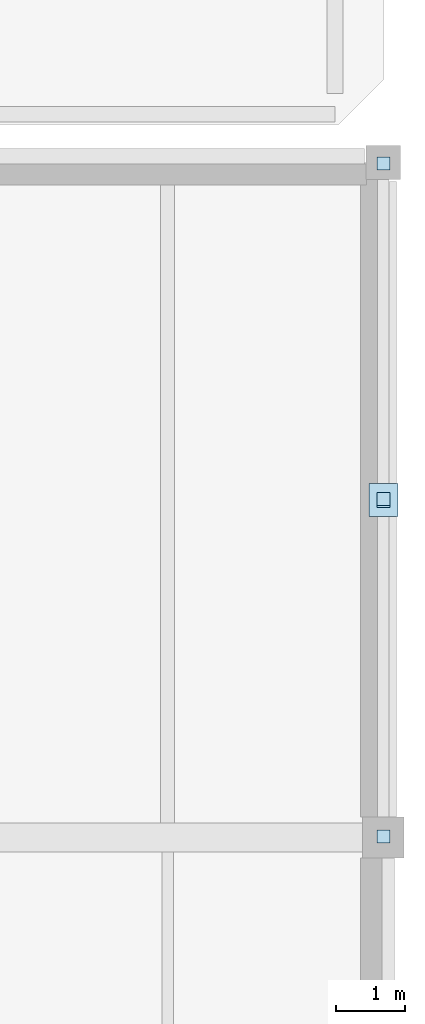
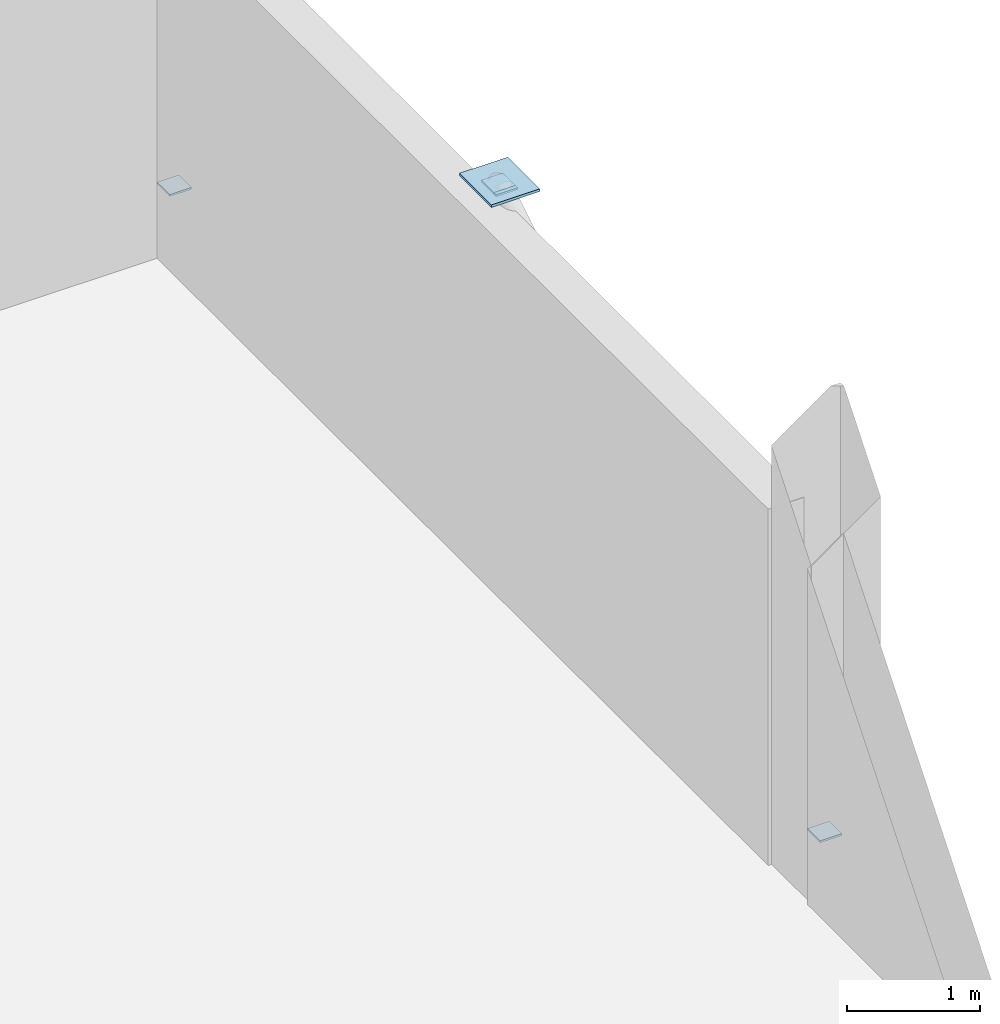
# One storey, part 22 of 41: 5 plates.
"""IFC4 building model written with IfcOpenShell, lengths in metres."""

from ifc_helpers import new_model, si_unit, direction, frame, origin, origin_2d, place, context, subcontext, project, spatial, rectangle, extrude, material, layer, layer_set, type_object, element, save


model = new_model("IFC4")

# Units and contexts
model_context = context("Model", 3, precision=1e-05, world=origin(), true_north=direction((0.0, 1.0)))
body_context = subcontext(model_context, "Body", "Model", "MODEL_VIEW")
ifc_project = project(units=[si_unit("LENGTHUNIT", "METRE"), si_unit("AREAUNIT", "SQUARE_METRE"), si_unit("VOLUMEUNIT", "CUBIC_METRE"), si_unit("PLANEANGLEUNIT", "RADIAN"), si_unit("MASSUNIT", "GRAM", prefix="KILO")], contexts=[model_context])

# Site, building, storey
site_placement = place(None, origin())
site = spatial("IfcSite", under=ifc_project, at=site_placement, CompositionType="ELEMENT")
building_placement = place(site_placement, origin())
building = spatial("IfcBuilding", under=site, at=building_placement, Name="Birchvale Park Specialist Clinic", CompositionType="ELEMENT")
storey_placement = place(building_placement, frame((0.0, 0.0, 9.60009765625)))
storey = spatial("IfcBuildingStorey", under=building, at=storey_placement, Name="L02", CompositionType="ELEMENT", Elevation=9.60009765625)

# Plates
ifc_material = material(Name="Steel ASTM A572 Grade 50", Category="steel")
ifc_layer_1 = layer(ifc_material, 0.01806640625)
ifc_layer_set_1 = layer_set([ifc_layer_1], Name="Steel ASTM A572 Grade 50")
plate_type_1 = type_object("IfcPlateType", Name="PLT-EC4", PredefinedType="USERDEFINED", material=ifc_layer_set_1)
for number, where, z_axis, x_axis, name in (
    (1, (155.800048828125, 34.6171875, 0.351318359375), (0.0, 0.0, 1.0), (1.0, 0.0, 0.0), "V5 L02 brace sealed cap plate 11.1.1"),
    (2, (155.800048828125, 39.48291015625, 3.320556640625), (0.0, 0.0, 1.0), (1.0, 0.0, 0.0), "V5 L02 brace sealed cap plate 11.1.2"),
    (3, (155.800048828125, 44.3828125, 0.351318359375), (0.0, 0.0, 1.0), (1.0, 0.0, 0.0), "V5 L02 brace sealed cap plate 11.2.1"),
    (4, (155.800048828125, 39.51708984375, 3.320556640625), (0.0, 0.0, 1.0), (1.0, 0.0, 0.0), "V5 L02 brace sealed cap plate 11.2.2"),
):
    element("IfcPlate", number, at=place(storey_placement, frame(where, z_axis=z_axis, x_axis=x_axis)), inside=storey, type_object=plate_type_1, Name=name, ObjectType="BASE_PLATE", PredefinedType="USERDEFINED", context=body_context, shape_type="SweptSolid", body=[
        extrude(rectangle(XDim=0.18994140625, YDim=0.18994140625, at=origin_2d()), origin(), (0.0, 0.0, 1.0), 0.01806640625),
    ])
ifc_layer_2 = layer(ifc_material, 0.02197265625)
ifc_layer_set_2 = layer_set([ifc_layer_2], Name="Steel ASTM A572 Grade 50")
plate_type_2 = type_object("IfcPlateType", Name="PLT-KN3", PredefinedType="USERDEFINED", material=ifc_layer_set_2)
plate_placement = place(storey_placement, frame((155.800048828125, 39.5, 3.33984375), z_axis=(0.0, 0.0, 1.0), x_axis=(1.0, 0.0, 0.0)))
element("IfcPlate", 5, at=plate_placement, inside=storey, type_object=plate_type_2, Name="V5 L02 braced-frame apex gusset plate KN1-11", ObjectType="GUSSET_PLATE", PredefinedType="USERDEFINED", context=body_context, shape_type="SweptSolid", body=[
    extrude(rectangle(XDim=0.419921875, YDim=0.47998046875, at=origin_2d()), origin(), (0.0, 0.0, 1.0), 0.02392578125),
])

save(model, "model.ifc")
